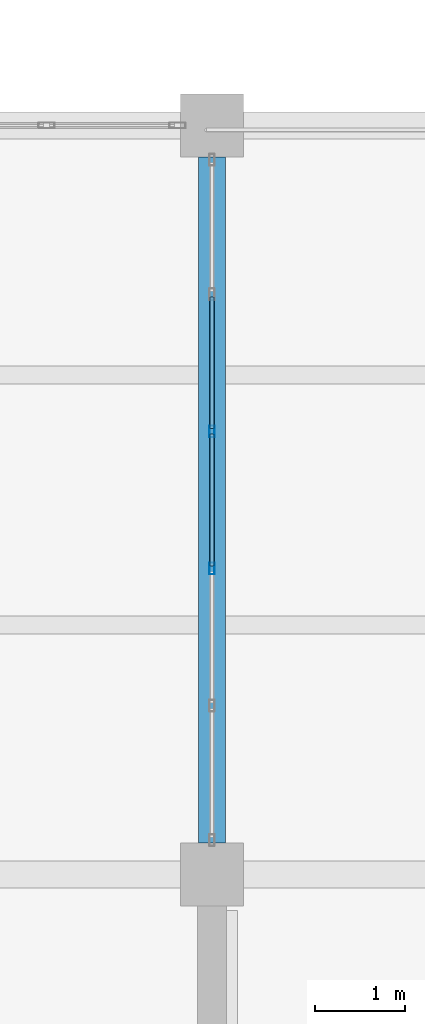
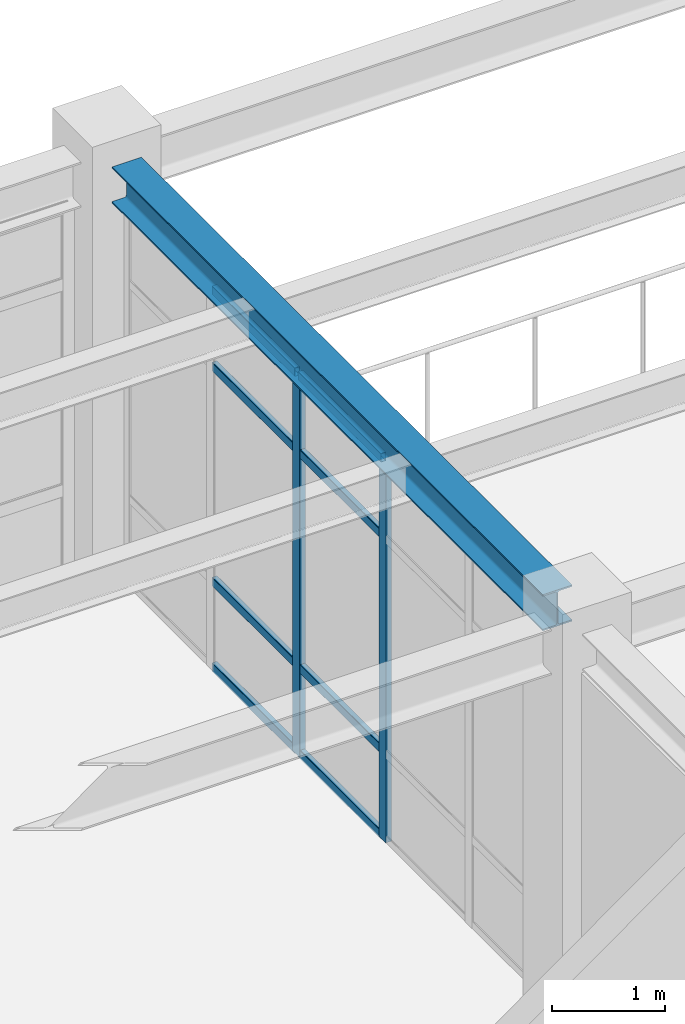
# One storey, part 64 of 98: 10 members, 1 beam, 1 element without a shape of its own.
"""IFC4 building model written with IfcOpenShell, lengths in metres."""

from ifc_helpers import new_model, si_unit, direction, frame, origin, origin_2d, place, context, subcontext, project, spatial, hollow_rectangle, i_section, extrude, material, material_profile, profile_set, type_object, element, aggregate, save


model = new_model("IFC4")

# Units and contexts
model_context = context("Model", 3, precision=1e-05, world=origin(), true_north=direction((0.0, 1.0)))
body_context = subcontext(model_context, "Body", "Model", "MODEL_VIEW")
ifc_project = project(units=[si_unit("LENGTHUNIT", "METRE"), si_unit("AREAUNIT", "SQUARE_METRE"), si_unit("VOLUMEUNIT", "CUBIC_METRE"), si_unit("PLANEANGLEUNIT", "RADIAN"), si_unit("MASSUNIT", "GRAM", prefix="KILO")], contexts=[model_context])

# Site, building, storey
site_placement = place(None, origin())
site = spatial("IfcSite", under=ifc_project, at=site_placement, CompositionType="ELEMENT")
building_placement = place(site_placement, origin())
building = spatial("IfcBuilding", under=site, at=building_placement, Name="Canglan Escarpment Cableway Terminal", CompositionType="ELEMENT")
storey_placement = place(building_placement, frame((0.0, 0.0, 9.60009765625)))
storey = spatial("IfcBuildingStorey", under=building, at=storey_placement, Name="L02", CompositionType="ELEMENT", Elevation=9.60009765625)

# Beam
ifc_material_1 = material(Name="Steel Q355B", Category="steel")
ifc_material_profile_1 = material_profile(ifc_material_1, i_section(OverallWidth=0.300048828125, OverallDepth=0.389892578125, WebThickness=0.010009765625, FlangeThickness=0.01611328125, FilletRadius=0.02197265625, at=origin_2d()), Name="HM 390x300x10x16")
ifc_profile_set_1 = profile_set([ifc_material_profile_1], Name="Steel Q355B")
beam_type = type_object("IfcBeamType", Name="BM-ARCH-TOP-HM390", PredefinedType="BEAM", material=ifc_profile_set_1)
beam_placement = place(storey_placement, frame((166.39990234375, 25.14990234375, 4.324951171875), z_axis=(0.0, 1.0, 0.0), x_axis=(-1.0, 0.0, 0.0)))
element("IfcBeam", 1, at=beam_placement, inside=storey, type_object=beam_type, Name="Primary transverse girder AR-TC1", PredefinedType="BEAM", context=body_context, shape_type="SweptSolid", body=[
    extrude(i_section(OverallWidth=0.300048828125, OverallDepth=0.389892578125, WebThickness=0.010009765625, FlangeThickness=0.01611328125, FilletRadius=0.02197265625, at=origin_2d()), origin(), (0.0, 0.0, 1.0), 7.60009765625),
])

# Curtain wall, members
ifc_material_2 = material(Name="Anodized bronze aluminium and Low-E double glazing", Category="aluminium")
curtain_wall_type = type_object("IfcCurtainWallType", Name="CW-BAY-7600x4125", PredefinedType="NOTDEFINED", material=ifc_material_2)
curtain_wall_placement = place(storey_placement, origin())
curtain_wall = element("IfcCurtainWall", 2, at=curtain_wall_placement, inside=storey, type_object=curtain_wall_type, Name="Classical bay-between-piers glazed curtain wall CW-23", PredefinedType="NOTDEFINED")
ifc_material_3 = material(Name="Thermally broken anodized aluminium 6063-T6", Category="aluminium")
ifc_material_profile_2 = material_profile(ifc_material_3, hollow_rectangle(XDim=0.06005859375, YDim=0.1298828125, WallThickness=0.0029296875, InnerFilletRadius=0.0029296875, OuterFilletRadius=0.006103515625, at=origin_2d()), Name="ALU-MULL 60x130x3")
ifc_profile_set_2 = profile_set([ifc_material_profile_2], Name="Thermally broken anodized aluminium 6063-T6")
member_type_1 = type_object("IfcMemberType", Name="CWM-01", PredefinedType="MULLION", material=ifc_profile_set_2)
member_1_placement = place(storey_placement, frame((166.39990234375, 28.18994140625, 0.0), z_axis=(0.0, 0.0, 1.0), x_axis=(-1.0, 0.0, 0.0)))
member_1 = element("IfcMember", 3, at=member_1_placement, type_object=member_type_1, Name="CW-23 mullion 3", PredefinedType="MULLION", context=body_context, shape_type="SweptSolid", body=[
    extrude(hollow_rectangle(XDim=0.06005859375, YDim=0.1298828125, WallThickness=0.0029296875, InnerFilletRadius=0.0029296875, OuterFilletRadius=0.006103515625, at=origin_2d()), origin(), (0.0, 0.0, 1.0), 4.114990234375),
])
member_2_placement = place(storey_placement, frame((166.39990234375, 29.7099609375, 0.0), z_axis=(0.0, 0.0, 1.0), x_axis=(-1.0, 0.0, 0.0)))
member_2 = element("IfcMember", 4, at=member_2_placement, type_object=member_type_1, Name="CW-23 mullion 4", PredefinedType="MULLION", context=body_context, shape_type="SweptSolid", body=[
    extrude(hollow_rectangle(XDim=0.06005859375, YDim=0.1298828125, WallThickness=0.0029296875, InnerFilletRadius=0.0029296875, OuterFilletRadius=0.006103515625, at=origin_2d()), origin(), (0.0, 0.0, 1.0), 4.114990234375),
])
ifc_material_profile_3 = material_profile(ifc_material_3, hollow_rectangle(XDim=0.054931640625, YDim=0.094970703125, WallThickness=0.0029296875, InnerFilletRadius=0.0029296875, OuterFilletRadius=0.006103515625, at=origin_2d()), Name="ALU-TRAN 55x95x3")
ifc_profile_set_3 = profile_set([ifc_material_profile_3], Name="Thermally broken anodized aluminium 6063-T6")
member_type_2 = type_object("IfcMemberType", Name="CWT-01", PredefinedType="USERDEFINED", material=ifc_profile_set_3)
member_3_placement = place(storey_placement, frame((166.39990234375, 28.219970703125, 0.02734375), z_axis=(0.0, 1.0, 0.0), x_axis=(-1.0, 0.0, 0.0)))
member_3 = element("IfcMember", 5, at=member_3_placement, type_object=member_type_2, Name="CW-23 transom 3.1", ObjectType="TRANSOM", PredefinedType="USERDEFINED", context=body_context, shape_type="SweptSolid", body=[
    extrude(hollow_rectangle(XDim=0.054931640625, YDim=0.094970703125, WallThickness=0.0029296875, InnerFilletRadius=0.0029296875, OuterFilletRadius=0.006103515625, at=origin_2d()), origin(), (0.0, 0.0, 1.0), 1.4599609375),
])
member_4_placement = place(storey_placement, frame((166.39990234375, 28.219970703125, 0.949951171875), z_axis=(0.0, 1.0, 0.0), x_axis=(-1.0, 0.0, 0.0)))
member_4 = element("IfcMember", 6, at=member_4_placement, type_object=member_type_2, Name="CW-23 transom 3.2", ObjectType="TRANSOM", PredefinedType="USERDEFINED", context=body_context, shape_type="SweptSolid", body=[
    extrude(hollow_rectangle(XDim=0.054931640625, YDim=0.094970703125, WallThickness=0.0029296875, InnerFilletRadius=0.0029296875, OuterFilletRadius=0.006103515625, at=origin_2d()), origin(), (0.0, 0.0, 1.0), 1.4599609375),
])
member_5_placement = place(storey_placement, frame((166.39990234375, 28.219970703125, 3.264892578125), z_axis=(0.0, 1.0, 0.0), x_axis=(-1.0, 0.0, 0.0)))
member_5 = element("IfcMember", 7, at=member_5_placement, type_object=member_type_2, Name="CW-23 transom 3.3", ObjectType="TRANSOM", PredefinedType="USERDEFINED", context=body_context, shape_type="SweptSolid", body=[
    extrude(hollow_rectangle(XDim=0.054931640625, YDim=0.094970703125, WallThickness=0.0029296875, InnerFilletRadius=0.0029296875, OuterFilletRadius=0.006103515625, at=origin_2d()), origin(), (0.0, 0.0, 1.0), 1.4599609375),
])
member_6_placement = place(storey_placement, frame((166.39990234375, 28.219970703125, 4.08740234375), z_axis=(0.0, 1.0, 0.0), x_axis=(-1.0, 0.0, 0.0)))
member_6 = element("IfcMember", 8, at=member_6_placement, type_object=member_type_2, Name="CW-23 transom 3.4", ObjectType="TRANSOM", PredefinedType="USERDEFINED", context=body_context, shape_type="SweptSolid", body=[
    extrude(hollow_rectangle(XDim=0.054931640625, YDim=0.094970703125, WallThickness=0.0029296875, InnerFilletRadius=0.0029296875, OuterFilletRadius=0.006103515625, at=origin_2d()), origin(), (0.0, 0.0, 1.0), 1.4599609375),
])
member_7_placement = place(storey_placement, frame((166.39990234375, 29.739990234375, 0.02734375), z_axis=(0.0, 1.0, 0.0), x_axis=(-1.0, 0.0, 0.0)))
member_7 = element("IfcMember", 9, at=member_7_placement, type_object=member_type_2, Name="CW-23 transom 4.1", ObjectType="TRANSOM", PredefinedType="USERDEFINED", context=body_context, shape_type="SweptSolid", body=[
    extrude(hollow_rectangle(XDim=0.054931640625, YDim=0.094970703125, WallThickness=0.0029296875, InnerFilletRadius=0.0029296875, OuterFilletRadius=0.006103515625, at=origin_2d()), origin(), (0.0, 0.0, 1.0), 1.4599609375),
])
member_8_placement = place(storey_placement, frame((166.39990234375, 29.739990234375, 0.949951171875), z_axis=(0.0, 1.0, 0.0), x_axis=(-1.0, 0.0, 0.0)))
member_8 = element("IfcMember", 10, at=member_8_placement, type_object=member_type_2, Name="CW-23 transom 4.2", ObjectType="TRANSOM", PredefinedType="USERDEFINED", context=body_context, shape_type="SweptSolid", body=[
    extrude(hollow_rectangle(XDim=0.054931640625, YDim=0.094970703125, WallThickness=0.0029296875, InnerFilletRadius=0.0029296875, OuterFilletRadius=0.006103515625, at=origin_2d()), origin(), (0.0, 0.0, 1.0), 1.4599609375),
])
member_9_placement = place(storey_placement, frame((166.39990234375, 29.739990234375, 3.264892578125), z_axis=(0.0, 1.0, 0.0), x_axis=(-1.0, 0.0, 0.0)))
member_9 = element("IfcMember", 11, at=member_9_placement, type_object=member_type_2, Name="CW-23 transom 4.3", ObjectType="TRANSOM", PredefinedType="USERDEFINED", context=body_context, shape_type="SweptSolid", body=[
    extrude(hollow_rectangle(XDim=0.054931640625, YDim=0.094970703125, WallThickness=0.0029296875, InnerFilletRadius=0.0029296875, OuterFilletRadius=0.006103515625, at=origin_2d()), origin(), (0.0, 0.0, 1.0), 1.4599609375),
])
member_10_placement = place(storey_placement, frame((166.39990234375, 29.739990234375, 4.08740234375), z_axis=(0.0, 1.0, 0.0), x_axis=(-1.0, 0.0, 0.0)))
member_10 = element("IfcMember", 12, at=member_10_placement, type_object=member_type_2, Name="CW-23 transom 4.4", ObjectType="TRANSOM", PredefinedType="USERDEFINED", context=body_context, shape_type="SweptSolid", body=[
    extrude(hollow_rectangle(XDim=0.054931640625, YDim=0.094970703125, WallThickness=0.0029296875, InnerFilletRadius=0.0029296875, OuterFilletRadius=0.006103515625, at=origin_2d()), origin(), (0.0, 0.0, 1.0), 1.4599609375),
])
aggregate(curtain_wall, [member_1, member_2, member_3, member_4, member_5, member_6, member_7, member_8, member_9, member_10])

save(model, "model.ifc")
